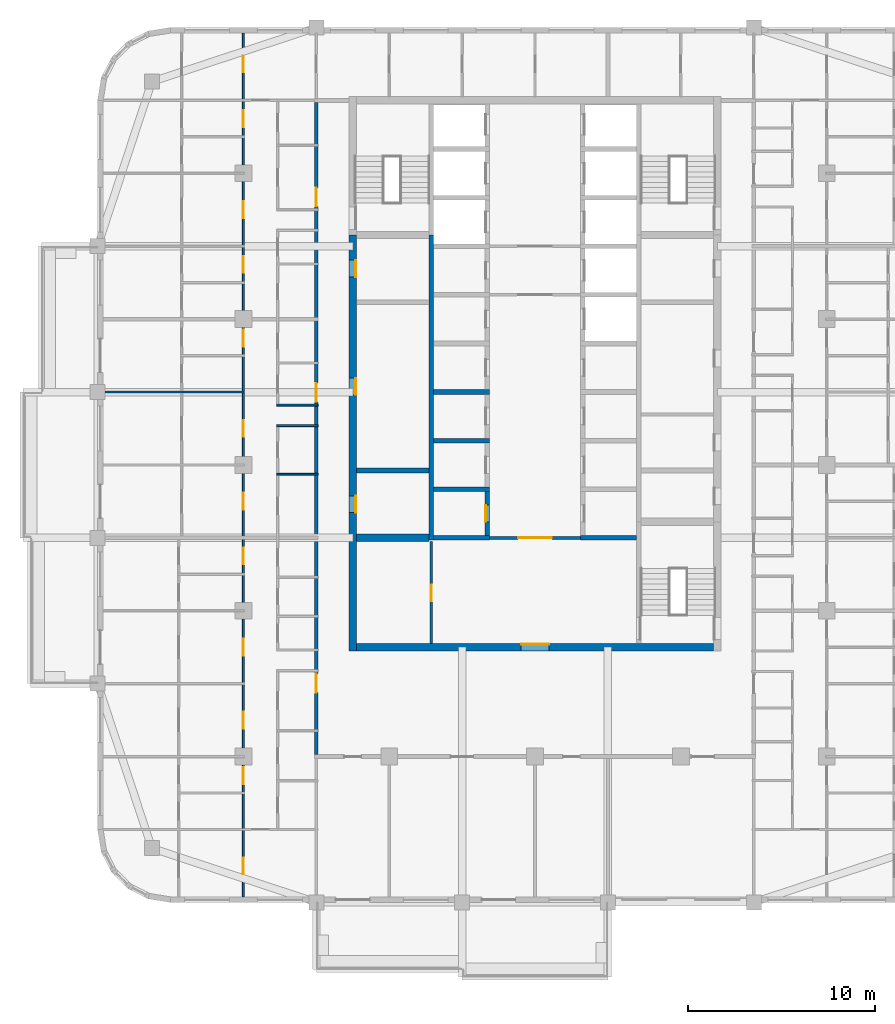
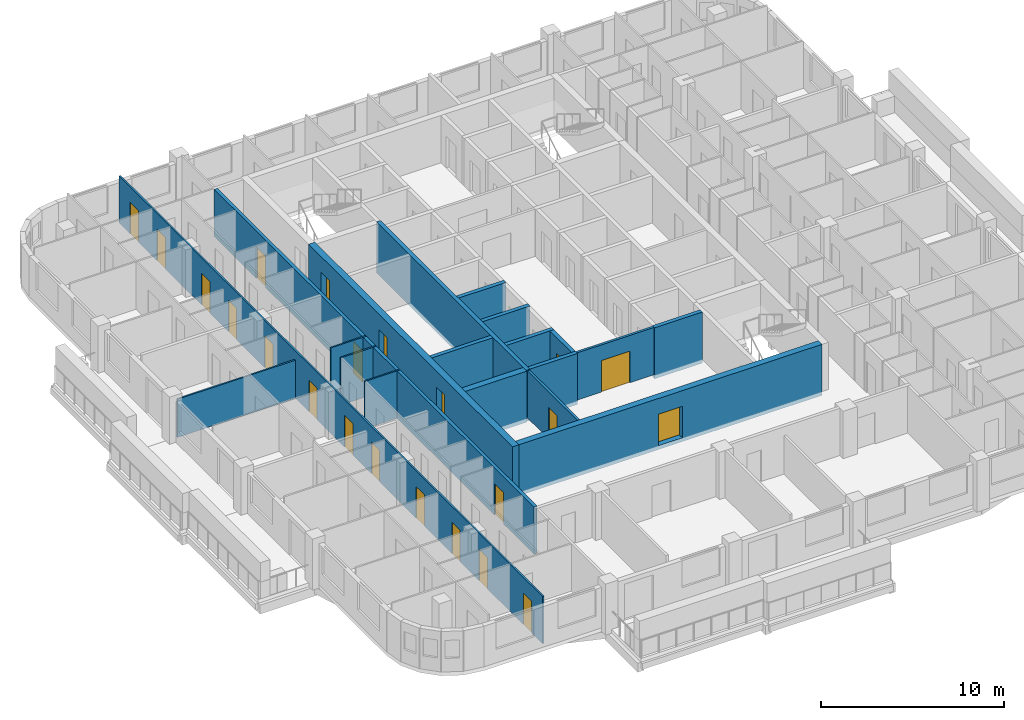
# One storey, part 4 of 16: 22 doors, 19 walls, 22 openings.
"""IFC4 building model written with IfcOpenShell, lengths in metres."""

from ifc_helpers import new_model, si_unit, direction, frame, frame_2d, origin, place, context, subcontext, project, spatial, rectangle, extrude, material, layer, layer_set, type_object, element, fill, save


model = new_model("IFC4")

# Units and contexts
model_context = context("Model", 3, precision=1e-05, world=origin(), true_north=direction((0.0, 1.0)))
body_context = subcontext(model_context, "Body", "Model", "MODEL_VIEW")
ifc_project = project(units=[si_unit("LENGTHUNIT", "METRE"), si_unit("AREAUNIT", "SQUARE_METRE"), si_unit("VOLUMEUNIT", "CUBIC_METRE"), si_unit("PLANEANGLEUNIT", "RADIAN"), si_unit("MASSUNIT", "GRAM", prefix="KILO")], contexts=[model_context])

# Site, building, storey
site_placement = place(None, origin())
site = spatial("IfcSite", under=ifc_project, at=site_placement, CompositionType="ELEMENT")
building_placement = place(site_placement, origin())
building = spatial("IfcBuilding", under=site, at=building_placement, Name="Ludao Terraces", CompositionType="ELEMENT")
storey_placement = place(building_placement, frame((0.0, 0.0, 214.300048828125)))
storey = spatial("IfcBuildingStorey", under=building, at=storey_placement, Name="L58", CompositionType="ELEMENT", Elevation=214.300048828125)

# Wall, openings, doors
ifc_material_1 = material(Name="Concrete C50", Category="concrete")
ifc_layer_1 = layer(ifc_material_1, 0.39990234375)
ifc_layer_set_1 = layer_set([ifc_layer_1], Name="Core wall 400 C50")
wall_type_1 = type_object("IfcWallType", Name="Core wall 400 C50", PredefinedType="SOLIDWALL", material=ifc_layer_set_1)
wall_1_placement = place(storey_placement, frame((75.25, 55.050048828125, -0.25), z_axis=(0.0, 0.0, 1.0), x_axis=(0.0, 1.0, 0.0)))
wall_1 = element("IfcWall", 1, at=wall_1_placement, inside=storey, type_object=wall_type_1, Name="Core wall L58 outer-W", PredefinedType="SOLIDWALL", context=body_context, shape_type="SweptSolid", body=[
    extrude(rectangle(XDim=22.25, YDim=0.39990234375, at=frame_2d((11.125, 0.0))), origin(), (0.0, 0.0, 1.0), 3.39990234375),
])
opening_1_placement = place(wall_1_placement, frame((7.39990234375, 0.0, 0.25)))
opening_1 = element("IfcOpeningElement", 2, at=opening_1_placement, cuts=wall_1, Name="Opening R21-056", PredefinedType="OPENING", context=body_context, shape_type="SweptSolid", body=[
    extrude(rectangle(XDim=0.89990234375, YDim=2.10009765625, at=frame_2d((0.449951171875, 1.050048828125))), frame((0.0, 0.2099609375, 0.0), z_axis=(0.0, -1.0, 0.0), x_axis=(1.0, 0.0, 0.0)), (0.0, 0.0, 1.0), 0.419921875),
])
opening_2_placement = place(wall_1_placement, frame((13.699951171875, 0.0, 0.25)))
opening_2 = element("IfcOpeningElement", 3, at=opening_2_placement, cuts=wall_1, Name="Opening R21-076", PredefinedType="OPENING", context=body_context, shape_type="SweptSolid", body=[
    extrude(rectangle(XDim=0.89990234375, YDim=2.10009765625, at=frame_2d((0.449951171875, 1.050048828125))), frame((0.0, 0.2099609375, 0.0), z_axis=(0.0, -1.0, 0.0), x_axis=(1.0, 0.0, 0.0)), (0.0, 0.0, 1.0), 0.419921875),
])
opening_3_placement = place(wall_1_placement, frame((20.0, 0.0, 0.25)))
opening_3 = element("IfcOpeningElement", 4, at=opening_3_placement, cuts=wall_1, Name="Opening R21-099", PredefinedType="OPENING", context=body_context, shape_type="SweptSolid", body=[
    extrude(rectangle(XDim=0.89990234375, YDim=2.10009765625, at=frame_2d((0.449951171875, 1.050048828125))), frame((0.0, 0.2099609375, 0.0), z_axis=(0.0, -1.0, 0.0), x_axis=(1.0, 0.0, 0.0)), (0.0, 0.0, 1.0), 0.419921875),
])
ifc_material_2 = material(Name="Steel Q235", Category="steel")
door_type_1 = type_object("IfcDoorType", Name="INT Riser door 900", OperationType="SINGLE_SWING_LEFT", PredefinedType="DOOR", material=ifc_material_2)
door_1_placement = place(opening_1_placement, origin())
door_1 = element("IfcDoor", 5, at=door_1_placement, inside=storey, type_object=door_type_1, Name="DOOR 056", OperationType="SINGLE_SWING_RIGHT", OverallHeight=2.10009765625, OverallWidth=0.89990234375, PredefinedType="DOOR", context=body_context, shape_type="SweptSolid", body=[
    extrude(rectangle(XDim=0.89990234375, YDim=2.10009765625, at=frame_2d((0.449951171875, 1.050048828125))), frame((0.0, -0.134765625, 0.0), z_axis=(0.0, -1.0, 0.0), x_axis=(1.0, 0.0, 0.0)), (0.0, 0.0, 1.0), 0.050048828125),
])
fill(opening_1, door_1)
door_2_placement = place(opening_3_placement, origin())
door_2 = element("IfcDoor", 6, at=door_2_placement, inside=storey, type_object=door_type_1, Name="DOOR 099", OperationType="SINGLE_SWING_LEFT", OverallHeight=2.10009765625, OverallWidth=0.89990234375, PredefinedType="DOOR", context=body_context, shape_type="SweptSolid", body=[
    extrude(rectangle(XDim=0.89990234375, YDim=2.10009765625, at=frame_2d((0.449951171875, 1.050048828125))), frame((0.0, -0.134765625, 0.0), z_axis=(0.0, -1.0, 0.0), x_axis=(1.0, 0.0, 0.0)), (0.0, 0.0, 1.0), 0.050048828125),
])
fill(opening_3, door_2)
ifc_material_3 = material(Name="Timber door leaf", Category="wood")
door_type_2 = type_object("IfcDoorType", Name="INT Room door 900", OperationType="SINGLE_SWING_LEFT", PredefinedType="DOOR", material=ifc_material_3)
door_3_placement = place(opening_2_placement, origin())
door_3 = element("IfcDoor", 7, at=door_3_placement, inside=storey, type_object=door_type_2, Name="DOOR 076", OperationType="SINGLE_SWING_RIGHT", OverallHeight=2.10009765625, OverallWidth=0.89990234375, PredefinedType="DOOR", context=body_context, shape_type="SweptSolid", body=[
    extrude(rectangle(XDim=0.89990234375, YDim=2.10009765625, at=frame_2d((0.449951171875, 1.050048828125))), frame((0.0, -0.134765625, 0.0), z_axis=(0.0, -1.0, 0.0), x_axis=(1.0, 0.0, 0.0)), (0.0, 0.0, 1.0), 0.050048828125),
])
fill(opening_2, door_3)

# Wall, opening, door
wall_2_placement = place(storey_placement, frame((75.449951171875, 55.25, -0.25), z_axis=(0.0, 0.0, 1.0), x_axis=(1.0, 0.0, 0.0)))
wall_2 = element("IfcWall", 8, at=wall_2_placement, inside=storey, type_object=wall_type_1, Name="Core wall L58 outer-S", PredefinedType="SOLIDWALL", context=body_context, shape_type="SweptSolid", body=[
    extrude(rectangle(XDim=19.10009765625, YDim=0.39990234375, at=frame_2d((9.550048828125, 0.0))), origin(), (0.0, 0.0, 1.0), 3.39990234375),
])
opening_4_placement = place(wall_2_placement, frame((8.800048828125, 0.0, 0.25)))
opening_4 = element("IfcOpeningElement", 9, at=opening_4_placement, cuts=wall_2, Name="Opening R21-033", PredefinedType="OPENING", context=body_context, shape_type="SweptSolid", body=[
    extrude(rectangle(XDim=1.5, YDim=2.10009765625, at=frame_2d((0.75, 1.050048828125))), frame((0.0, 0.2099609375, 0.0), z_axis=(0.0, -1.0, 0.0), x_axis=(1.0, 0.0, 0.0)), (0.0, 0.0, 1.0), 0.419921875),
])
door_type_3 = type_object("IfcDoorType", Name="INT Lobby door 1500", OperationType="DOUBLE_DOOR_SINGLE_SWING", PredefinedType="DOOR", material=ifc_material_2)
door_4_placement = place(opening_4_placement, origin())
door_4 = element("IfcDoor", 10, at=door_4_placement, inside=storey, type_object=door_type_3, Name="DOOR 033", OperationType="DOUBLE_DOOR_SINGLE_SWING", OverallHeight=2.10009765625, OverallWidth=1.5, PredefinedType="DOOR", context=body_context, shape_type="SweptSolid", body=[
    extrude(rectangle(XDim=1.5, YDim=2.10009765625, at=frame_2d((0.75, 1.050048828125))), frame((0.0, 0.18505859375, 0.0), z_axis=(0.0, -1.0, 0.0), x_axis=(1.0, 0.0, 0.0)), (0.0, 0.0, 1.0), 0.050048828125),
])
fill(opening_4, door_4)

ifc_material_4 = material(Name="Fire-rated gypsum plasterboard", Category="gypsum")
ifc_layer_2 = layer(ifc_material_4, 0.012451171875, Category="gypsum")
ifc_material_5 = material(Name="Mineral wool")
ifc_layer_3 = layer(ifc_material_5, 0.10009765625, Name="insulation")
ifc_layer_4 = layer(ifc_material_2, 0.02490234375, Name="stud")
ifc_layer_5 = layer(ifc_material_4, 0.012451171875, Category="gypsum")
ifc_layer_set_2 = layer_set([ifc_layer_2, ifc_layer_3, ifc_layer_4, ifc_layer_5], Name="INT Core partition 150")
wall_type_2 = type_object("IfcWallType", Name="INT Core partition 150", PredefinedType="PARTITIONING", material=ifc_layer_set_2)
wall_3_placement = place(storey_placement, frame((82.5751953125, 61.10009765625, 0.0), z_axis=(0.0, 0.0, 1.0), x_axis=(1.0, 0.0, 0.0)))
wall_3 = element("IfcWall", 11, at=wall_3_placement, inside=storey, type_object=wall_type_2, Name="PW-L58-PW027", PredefinedType="PARTITIONING", context=body_context, shape_type="SweptSolid", body=[
    extrude(rectangle(XDim=4.849853515625, YDim=0.14990234375, at=frame_2d((2.4248046875, 0.0))), origin(), (0.0, 0.0, 1.0), 3.14990234375),
])
opening_5_placement = place(wall_3_placement, frame((1.52490234375, 0.0, 0.0)))
opening_5 = element("IfcOpeningElement", 12, at=opening_5_placement, cuts=wall_3, Name="Opening R21-050", PredefinedType="OPENING", context=body_context, shape_type="SweptSolid", body=[
    extrude(rectangle(XDim=1.800048828125, YDim=2.10009765625, at=frame_2d((0.89990234375, 1.050048828125))), frame((0.0, 0.0849609375, 0.0), z_axis=(0.0, -1.0, 0.0), x_axis=(1.0, 0.0, 0.0)), (0.0, 0.0, 1.0), 0.169921875),
])
door_type_4 = type_object("IfcDoorType", Name="INT Fire lobby door 1800", OperationType="DOUBLE_DOOR_SINGLE_SWING", PredefinedType="DOOR", material=ifc_material_2)
door_5_placement = place(opening_5_placement, origin())
door_5 = element("IfcDoor", 13, at=door_5_placement, inside=storey, type_object=door_type_4, Name="DOOR 050", OperationType="DOUBLE_DOOR_SINGLE_SWING", OverallHeight=2.10009765625, OverallWidth=1.800048828125, PredefinedType="DOOR", context=body_context, shape_type="SweptSolid", body=[
    extrude(rectangle(XDim=1.800048828125, YDim=2.10009765625, at=frame_2d((0.89990234375, 1.050048828125))), frame((0.0, 0.02490234375, 0.0), z_axis=(0.0, -1.0, 0.0), x_axis=(1.0, 0.0, 0.0)), (0.0, 0.0, 1.0), 0.050048828125),
])
fill(opening_5, door_5)

wall_4_placement = place(storey_placement, frame((79.449951171875, 55.4501953125, 0.0), z_axis=(0.0, 0.0, 1.0), x_axis=(0.0, 1.0, 0.0)))
wall_4 = element("IfcWall", 14, at=wall_4_placement, inside=storey, type_object=wall_type_2, Name="PW-L58-PW082", PredefinedType="PARTITIONING", context=body_context, shape_type="SweptSolid", body=[
    extrude(rectangle(XDim=5.449951171875, YDim=0.14990234375, at=frame_2d((2.72509765625, 0.0))), origin(), (0.0, 0.0, 1.0), 3.14990234375),
])
opening_6_placement = place(wall_4_placement, frame((2.25, 0.0, 0.0)))
opening_6 = element("IfcOpeningElement", 15, at=opening_6_placement, cuts=wall_4, Name="Opening R21-042", PredefinedType="OPENING", context=body_context, shape_type="SweptSolid", body=[
    extrude(rectangle(XDim=0.89990234375, YDim=2.10009765625, at=frame_2d((0.449951171875, 1.050048828125))), frame((0.0, 0.0849609375, 0.0), z_axis=(0.0, -1.0, 0.0), x_axis=(1.0, 0.0, 0.0)), (0.0, 0.0, 1.0), 0.169921875),
])
door_6_placement = place(opening_6_placement, origin())
door_6 = element("IfcDoor", 16, at=door_6_placement, inside=storey, type_object=door_type_2, Name="DOOR 042", OperationType="SINGLE_SWING_LEFT", OverallHeight=2.10009765625, OverallWidth=0.89990234375, PredefinedType="DOOR", context=body_context, shape_type="SweptSolid", body=[
    extrude(rectangle(XDim=0.89990234375, YDim=2.10009765625, at=frame_2d((0.449951171875, 1.050048828125))), frame((0.0, 0.02490234375, 0.0), z_axis=(0.0, -1.0, 0.0), x_axis=(1.0, 0.0, 0.0)), (0.0, 0.0, 1.0), 0.050048828125),
])
fill(opening_6, door_6)

# Wall, openings, doors
ifc_material_6 = material(Name="Autoclaved aerated concrete block B06 A3.5", Category="concrete")
ifc_layer_6 = layer(ifc_material_6, 0.199951171875)
ifc_layer_set_3 = layer_set([ifc_layer_6], Name="INT Entrance wall 200")
wall_type_3 = type_object("IfcWallType", Name="INT Entrance wall 200", PredefinedType="PARTITIONING", material=ifc_layer_set_3)
wall_5_placement = place(storey_placement, frame((73.300048828125, 49.5, 0.0), z_axis=(0.0, 0.0, 1.0), x_axis=(0.0, 1.0, 0.0)))
wall_5 = element("IfcWall", 17, at=wall_5_placement, inside=storey, type_object=wall_type_3, Name="PW-L58-PW078", PredefinedType="PARTITIONING", context=body_context, shape_type="SweptSolid", body=[
    extrude(rectangle(XDim=34.900146484375, YDim=0.199951171875, at=frame_2d((17.4501953125, 0.0))), origin(), (0.0, 0.0, 1.0), 3.14990234375),
])
opening_7_placement = place(wall_5_placement, frame((3.3251953125, 0.0, 0.0)))
opening_7 = element("IfcOpeningElement", 18, at=opening_7_placement, cuts=wall_5, Name="Opening R21-029", PredefinedType="OPENING", context=body_context, shape_type="SweptSolid", body=[
    extrude(rectangle(XDim=1.0, YDim=2.10009765625, at=frame_2d((0.5, 1.050048828125))), frame((0.0, 0.10986328125, 0.0), z_axis=(0.0, -1.0, 0.0), x_axis=(1.0, 0.0, 0.0)), (0.0, 0.0, 1.0), 0.219970703125),
])
opening_8_placement = place(wall_5_placement, frame((18.875, 0.0, 0.0)))
opening_8 = element("IfcOpeningElement", 19, at=opening_8_placement, cuts=wall_5, Name="Opening R21-075", PredefinedType="OPENING", context=body_context, shape_type="SweptSolid", body=[
    extrude(rectangle(XDim=1.0, YDim=2.10009765625, at=frame_2d((0.5, 1.050048828125))), frame((0.0, 0.10986328125, 0.0), z_axis=(0.0, -1.0, 0.0), x_axis=(1.0, 0.0, 0.0)), (0.0, 0.0, 1.0), 0.219970703125),
])
opening_9_placement = place(wall_5_placement, frame((29.3251953125, 0.0, 0.0)))
opening_9 = element("IfcOpeningElement", 20, at=opening_9_placement, cuts=wall_5, Name="Opening R21-116", PredefinedType="OPENING", context=body_context, shape_type="SweptSolid", body=[
    extrude(rectangle(XDim=1.0, YDim=2.10009765625, at=frame_2d((0.5, 1.050048828125))), frame((0.0, 0.10986328125, 0.0), z_axis=(0.0, -1.0, 0.0), x_axis=(1.0, 0.0, 0.0)), (0.0, 0.0, 1.0), 0.219970703125),
])
door_type_5 = type_object("IfcDoorType", Name="INT Flat entrance door 1000", OperationType="SINGLE_SWING_LEFT", PredefinedType="DOOR", material=ifc_material_2)
door_7_placement = place(opening_7_placement, origin())
door_7 = element("IfcDoor", 21, at=door_7_placement, inside=storey, type_object=door_type_5, Name="DOOR 029", OperationType="SINGLE_SWING_LEFT", OverallHeight=2.10009765625, OverallWidth=1.0, PredefinedType="DOOR", context=body_context, shape_type="SweptSolid", body=[
    extrude(rectangle(XDim=1.0, YDim=2.10009765625, at=frame_2d((0.5, 1.050048828125))), frame((0.0, 0.02490234375, 0.0), z_axis=(0.0, -1.0, 0.0), x_axis=(1.0, 0.0, 0.0)), (0.0, 0.0, 1.0), 0.050048828125),
])
fill(opening_7, door_7)
door_8_placement = place(opening_8_placement, origin())
door_8 = element("IfcDoor", 22, at=door_8_placement, inside=storey, type_object=door_type_5, Name="DOOR 075", OperationType="SINGLE_SWING_RIGHT", OverallHeight=2.10009765625, OverallWidth=1.0, PredefinedType="DOOR", context=body_context, shape_type="SweptSolid", body=[
    extrude(rectangle(XDim=1.0, YDim=2.10009765625, at=frame_2d((0.5, 1.050048828125))), frame((0.0, 0.02490234375, 0.0), z_axis=(0.0, -1.0, 0.0), x_axis=(1.0, 0.0, 0.0)), (0.0, 0.0, 1.0), 0.050048828125),
])
fill(opening_8, door_8)
door_9_placement = place(opening_9_placement, origin())
door_9 = element("IfcDoor", 23, at=door_9_placement, inside=storey, type_object=door_type_5, Name="DOOR 116", OperationType="SINGLE_SWING_RIGHT", OverallHeight=2.10009765625, OverallWidth=1.0, PredefinedType="DOOR", context=body_context, shape_type="SweptSolid", body=[
    extrude(rectangle(XDim=1.0, YDim=2.10009765625, at=frame_2d((0.5, 1.050048828125))), frame((0.0, 0.02490234375, 0.0), z_axis=(0.0, -1.0, 0.0), x_axis=(1.0, 0.0, 0.0)), (0.0, 0.0, 1.0), 0.050048828125),
])
fill(opening_9, door_9)

# Walls
ifc_material_7 = material(Name="Gypsum plasterboard", Category="gypsum")
ifc_layer_7 = layer(ifc_material_7, 0.012451171875, Category="gypsum")
ifc_layer_8 = layer(ifc_material_5, 0.06005859375, Name="insulation")
ifc_layer_9 = layer(ifc_material_2, 0.014892578125, Name="stud")
ifc_layer_10 = layer(ifc_material_7, 0.012451171875, Category="gypsum")
ifc_layer_set_4 = layer_set([ifc_layer_7, ifc_layer_8, ifc_layer_9, ifc_layer_10], Name="INT Partition 100")
wall_type_4 = type_object("IfcWallType", Name="INT Partition 100", PredefinedType="PARTITIONING", material=ifc_layer_set_4)
for number, where, z_axis, x_axis, name in (
    (24, (71.18017578125, 64.5, 0.0), (0.0, 0.0, 1.0), (1.0, 0.0, 0.0), "PW-L58-PW031"),
    (25, (71.18017578125, 67.10009765625, 0.0), (0.0, 0.0, 1.0), (1.0, 0.0, 0.0), "PW-L58-PW034"),
    (26, (71.18017578125, 68.199951171875, 0.0), (0.0, 0.0, 1.0), (1.0, 0.0, 0.0), "PW-L58-PW037"),
):
    element("IfcWall", number, at=place(storey_placement, frame(where, z_axis=z_axis, x_axis=x_axis)), inside=storey, type_object=wall_type_4, Name=name, PredefinedType="PARTITIONING", context=body_context, shape_type="SweptSolid", body=[
        extrude(rectangle(XDim=2.219970703125, YDim=0.10009765625, at=frame_2d((1.10986328125, 0.0))), origin(), (0.0, 0.0, 1.0), 3.14990234375),
    ])
wall_6_placement = place(storey_placement, frame((61.900146484375, 68.89990234375, 0.0), z_axis=(0.0, 0.0, 1.0), x_axis=(1.0, 0.0, 0.0)))
element("IfcWall", 27, at=wall_6_placement, inside=storey, type_object=wall_type_4, Name="PW-L58-PW038", PredefinedType="PARTITIONING", context=body_context, shape_type="SweptSolid", body=[
    extrude(rectangle(XDim=7.550048828125, YDim=0.10009765625, at=frame_2d((3.77490234375, 0.0))), origin(), (0.0, 0.0, 1.0), 2.5498046875),
])

# Wall, openings, doors
wall_7_placement = place(storey_placement, frame((69.39990234375, 41.900146484375, 0.0), z_axis=(0.0, 0.0, 1.0), x_axis=(0.0, 1.0, 0.0)))
wall_7 = element("IfcWall", 28, at=wall_7_placement, inside=storey, type_object=wall_type_4, Name="PW-L58-PW072", PredefinedType="PARTITIONING", context=body_context, shape_type="SweptSolid", body=[
    extrude(rectangle(XDim=46.199951171875, YDim=0.10009765625, at=frame_2d((23.10009765625, 0.0))), origin(), (0.0, 0.0, 1.0), 3.14990234375),
])
opening_10_placement = place(wall_7_placement, frame((1.199951171875, 0.0, 0.0)))
opening_10 = element("IfcOpeningElement", 29, at=opening_10_placement, cuts=wall_7, Name="Opening R21-002", PredefinedType="OPENING", context=body_context, shape_type="SweptSolid", body=[
    extrude(rectangle(XDim=0.89990234375, YDim=2.10009765625, at=frame_2d((0.449951171875, 1.050048828125))), frame((0.0, 0.06005859375, 0.0), z_axis=(0.0, -1.0, 0.0), x_axis=(1.0, 0.0, 0.0)), (0.0, 0.0, 1.0), 0.1201171875),
])
opening_11_placement = place(wall_7_placement, frame((6.02490234375, 0.0, 0.0)))
opening_11 = element("IfcOpeningElement", 30, at=opening_11_placement, cuts=wall_7, Name="Opening R21-011", PredefinedType="OPENING", context=body_context, shape_type="SweptSolid", body=[
    extrude(rectangle(XDim=0.89990234375, YDim=2.10009765625, at=frame_2d((0.449951171875, 1.050048828125))), frame((0.0, 0.06005859375, 0.0), z_axis=(0.0, -1.0, 0.0), x_axis=(1.0, 0.0, 0.0)), (0.0, 0.0, 1.0), 0.1201171875),
])
opening_12_placement = place(wall_7_placement, frame((9.0, 0.0, 0.0)))
opening_12 = element("IfcOpeningElement", 31, at=opening_12_placement, cuts=wall_7, Name="Opening R21-023", PredefinedType="OPENING", context=body_context, shape_type="SweptSolid", body=[
    extrude(rectangle(XDim=0.89990234375, YDim=2.10009765625, at=frame_2d((0.449951171875, 1.050048828125))), frame((0.0, 0.06005859375, 0.0), z_axis=(0.0, -1.0, 0.0), x_axis=(1.0, 0.0, 0.0)), (0.0, 0.0, 1.0), 0.1201171875),
])
opening_13_placement = place(wall_7_placement, frame((12.89990234375, 0.0, 0.0)))
opening_13 = element("IfcOpeningElement", 32, at=opening_13_placement, cuts=wall_7, Name="Opening R21-032", PredefinedType="OPENING", context=body_context, shape_type="SweptSolid", body=[
    extrude(rectangle(XDim=0.89990234375, YDim=2.10009765625, at=frame_2d((0.449951171875, 1.050048828125))), frame((0.0, 0.06005859375, 0.0), z_axis=(0.0, -1.0, 0.0), x_axis=(1.0, 0.0, 0.0)), (0.0, 0.0, 1.0), 0.1201171875),
])
opening_14_placement = place(wall_7_placement, frame((17.77490234375, 0.0, 0.0)))
opening_14 = element("IfcOpeningElement", 33, at=opening_14_placement, cuts=wall_7, Name="Opening R21-048", PredefinedType="OPENING", context=body_context, shape_type="SweptSolid", body=[
    extrude(rectangle(XDim=0.89990234375, YDim=2.10009765625, at=frame_2d((0.449951171875, 1.050048828125))), frame((0.0, 0.06005859375, 0.0), z_axis=(0.0, -1.0, 0.0), x_axis=(1.0, 0.0, 0.0)), (0.0, 0.0, 1.0), 0.1201171875),
])
opening_15_placement = place(wall_7_placement, frame((20.699951171875, 0.0, 0.0)))
opening_15 = element("IfcOpeningElement", 34, at=opening_15_placement, cuts=wall_7, Name="Opening R21-058", PredefinedType="OPENING", context=body_context, shape_type="SweptSolid", body=[
    extrude(rectangle(XDim=0.89990234375, YDim=2.10009765625, at=frame_2d((0.449951171875, 1.050048828125))), frame((0.0, 0.06005859375, 0.0), z_axis=(0.0, -1.0, 0.0), x_axis=(1.0, 0.0, 0.0)), (0.0, 0.0, 1.0), 0.1201171875),
])
opening_16_placement = place(wall_7_placement, frame((24.60009765625, 0.0, 0.0)))
opening_16 = element("IfcOpeningElement", 35, at=opening_16_placement, cuts=wall_7, Name="Opening R21-069", PredefinedType="OPENING", context=body_context, shape_type="SweptSolid", body=[
    extrude(rectangle(XDim=0.89990234375, YDim=2.10009765625, at=frame_2d((0.449951171875, 1.050048828125))), frame((0.0, 0.06005859375, 0.0), z_axis=(0.0, -1.0, 0.0), x_axis=(1.0, 0.0, 0.0)), (0.0, 0.0, 1.0), 0.1201171875),
])
opening_17_placement = place(wall_7_placement, frame((29.425048828125, 0.0, 0.0)))
opening_17 = element("IfcOpeningElement", 36, at=opening_17_placement, cuts=wall_7, Name="Opening R21-085", PredefinedType="OPENING", context=body_context, shape_type="SweptSolid", body=[
    extrude(rectangle(XDim=0.89990234375, YDim=2.10009765625, at=frame_2d((0.449951171875, 1.050048828125))), frame((0.0, 0.06005859375, 0.0), z_axis=(0.0, -1.0, 0.0), x_axis=(1.0, 0.0, 0.0)), (0.0, 0.0, 1.0), 0.1201171875),
])
opening_18_placement = place(wall_7_placement, frame((33.375, 0.0, 0.0)))
opening_18 = element("IfcOpeningElement", 37, at=opening_18_placement, cuts=wall_7, Name="Opening R21-102", PredefinedType="OPENING", context=body_context, shape_type="SweptSolid", body=[
    extrude(rectangle(XDim=0.89990234375, YDim=2.10009765625, at=frame_2d((0.449951171875, 1.050048828125))), frame((0.0, 0.06005859375, 0.0), z_axis=(0.0, -1.0, 0.0), x_axis=(1.0, 0.0, 0.0)), (0.0, 0.0, 1.0), 0.1201171875),
])
opening_19_placement = place(wall_7_placement, frame((36.300048828125, 0.0, 0.0)))
opening_19 = element("IfcOpeningElement", 38, at=opening_19_placement, cuts=wall_7, Name="Opening R21-113", PredefinedType="OPENING", context=body_context, shape_type="SweptSolid", body=[
    extrude(rectangle(XDim=0.89990234375, YDim=2.10009765625, at=frame_2d((0.449951171875, 1.050048828125))), frame((0.0, 0.06005859375, 0.0), z_axis=(0.0, -1.0, 0.0), x_axis=(1.0, 0.0, 0.0)), (0.0, 0.0, 1.0), 0.1201171875),
])
opening_20_placement = place(wall_7_placement, frame((41.175048828125, 0.0, 0.0)))
opening_20 = element("IfcOpeningElement", 39, at=opening_20_placement, cuts=wall_7, Name="Opening R21-129", PredefinedType="OPENING", context=body_context, shape_type="SweptSolid", body=[
    extrude(rectangle(XDim=0.89990234375, YDim=2.10009765625, at=frame_2d((0.449951171875, 1.050048828125))), frame((0.0, 0.06005859375, 0.0), z_axis=(0.0, -1.0, 0.0), x_axis=(1.0, 0.0, 0.0)), (0.0, 0.0, 1.0), 0.1201171875),
])
opening_21_placement = place(wall_7_placement, frame((44.10009765625, 0.0, 0.0)))
opening_21 = element("IfcOpeningElement", 40, at=opening_21_placement, cuts=wall_7, Name="Opening R21-136", PredefinedType="OPENING", context=body_context, shape_type="SweptSolid", body=[
    extrude(rectangle(XDim=0.89990234375, YDim=2.10009765625, at=frame_2d((0.449951171875, 1.050048828125))), frame((0.0, 0.06005859375, 0.0), z_axis=(0.0, -1.0, 0.0), x_axis=(1.0, 0.0, 0.0)), (0.0, 0.0, 1.0), 0.1201171875),
])
door_10_placement = place(opening_10_placement, origin())
door_10 = element("IfcDoor", 41, at=door_10_placement, inside=storey, type_object=door_type_2, Name="DOOR 002", OperationType="SINGLE_SWING_LEFT", OverallHeight=2.10009765625, OverallWidth=0.89990234375, PredefinedType="DOOR", context=body_context, shape_type="SweptSolid", body=[
    extrude(rectangle(XDim=0.89990234375, YDim=2.10009765625, at=frame_2d((0.449951171875, 1.050048828125))), frame((0.0, 0.02490234375, 0.0), z_axis=(0.0, -1.0, 0.0), x_axis=(1.0, 0.0, 0.0)), (0.0, 0.0, 1.0), 0.050048828125),
])
fill(opening_10, door_10)
door_11_placement = place(opening_11_placement, origin())
door_11 = element("IfcDoor", 42, at=door_11_placement, inside=storey, type_object=door_type_2, Name="DOOR 011", OperationType="SINGLE_SWING_LEFT", OverallHeight=2.10009765625, OverallWidth=0.89990234375, PredefinedType="DOOR", context=body_context, shape_type="SweptSolid", body=[
    extrude(rectangle(XDim=0.89990234375, YDim=2.10009765625, at=frame_2d((0.449951171875, 1.050048828125))), frame((0.0, 0.02490234375, 0.0), z_axis=(0.0, -1.0, 0.0), x_axis=(1.0, 0.0, 0.0)), (0.0, 0.0, 1.0), 0.050048828125),
])
fill(opening_11, door_11)
door_12_placement = place(opening_12_placement, origin())
door_12 = element("IfcDoor", 43, at=door_12_placement, inside=storey, type_object=door_type_2, Name="DOOR 023", OperationType="SINGLE_SWING_LEFT", OverallHeight=2.10009765625, OverallWidth=0.89990234375, PredefinedType="DOOR", context=body_context, shape_type="SweptSolid", body=[
    extrude(rectangle(XDim=0.89990234375, YDim=2.10009765625, at=frame_2d((0.449951171875, 1.050048828125))), frame((0.0, 0.02490234375, 0.0), z_axis=(0.0, -1.0, 0.0), x_axis=(1.0, 0.0, 0.0)), (0.0, 0.0, 1.0), 0.050048828125),
])
fill(opening_12, door_12)
door_13_placement = place(opening_13_placement, origin())
door_13 = element("IfcDoor", 44, at=door_13_placement, inside=storey, type_object=door_type_2, Name="DOOR 032", OperationType="SINGLE_SWING_LEFT", OverallHeight=2.10009765625, OverallWidth=0.89990234375, PredefinedType="DOOR", context=body_context, shape_type="SweptSolid", body=[
    extrude(rectangle(XDim=0.89990234375, YDim=2.10009765625, at=frame_2d((0.449951171875, 1.050048828125))), frame((0.0, 0.02490234375, 0.0), z_axis=(0.0, -1.0, 0.0), x_axis=(1.0, 0.0, 0.0)), (0.0, 0.0, 1.0), 0.050048828125),
])
fill(opening_13, door_13)
door_14_placement = place(opening_14_placement, origin())
door_14 = element("IfcDoor", 45, at=door_14_placement, inside=storey, type_object=door_type_2, Name="DOOR 048", OperationType="SINGLE_SWING_LEFT", OverallHeight=2.10009765625, OverallWidth=0.89990234375, PredefinedType="DOOR", context=body_context, shape_type="SweptSolid", body=[
    extrude(rectangle(XDim=0.89990234375, YDim=2.10009765625, at=frame_2d((0.449951171875, 1.050048828125))), frame((0.0, 0.02490234375, 0.0), z_axis=(0.0, -1.0, 0.0), x_axis=(1.0, 0.0, 0.0)), (0.0, 0.0, 1.0), 0.050048828125),
])
fill(opening_14, door_14)
door_15_placement = place(opening_15_placement, origin())
door_15 = element("IfcDoor", 46, at=door_15_placement, inside=storey, type_object=door_type_2, Name="DOOR 058", OperationType="SINGLE_SWING_RIGHT", OverallHeight=2.10009765625, OverallWidth=0.89990234375, PredefinedType="DOOR", context=body_context, shape_type="SweptSolid", body=[
    extrude(rectangle(XDim=0.89990234375, YDim=2.10009765625, at=frame_2d((0.449951171875, 1.050048828125))), frame((0.0, 0.02490234375, 0.0), z_axis=(0.0, -1.0, 0.0), x_axis=(1.0, 0.0, 0.0)), (0.0, 0.0, 1.0), 0.050048828125),
])
fill(opening_15, door_15)
door_16_placement = place(opening_16_placement, origin())
door_16 = element("IfcDoor", 47, at=door_16_placement, inside=storey, type_object=door_type_2, Name="DOOR 069", OperationType="SINGLE_SWING_RIGHT", OverallHeight=2.10009765625, OverallWidth=0.89990234375, PredefinedType="DOOR", context=body_context, shape_type="SweptSolid", body=[
    extrude(rectangle(XDim=0.89990234375, YDim=2.10009765625, at=frame_2d((0.449951171875, 1.050048828125))), frame((0.0, 0.02490234375, 0.0), z_axis=(0.0, -1.0, 0.0), x_axis=(1.0, 0.0, 0.0)), (0.0, 0.0, 1.0), 0.050048828125),
])
fill(opening_16, door_16)
door_17_placement = place(opening_17_placement, origin())
door_17 = element("IfcDoor", 48, at=door_17_placement, inside=storey, type_object=door_type_2, Name="DOOR 085", OperationType="SINGLE_SWING_LEFT", OverallHeight=2.10009765625, OverallWidth=0.89990234375, PredefinedType="DOOR", context=body_context, shape_type="SweptSolid", body=[
    extrude(rectangle(XDim=0.89990234375, YDim=2.10009765625, at=frame_2d((0.449951171875, 1.050048828125))), frame((0.0, 0.02490234375, 0.0), z_axis=(0.0, -1.0, 0.0), x_axis=(1.0, 0.0, 0.0)), (0.0, 0.0, 1.0), 0.050048828125),
])
fill(opening_17, door_17)
door_18_placement = place(opening_18_placement, origin())
door_18 = element("IfcDoor", 49, at=door_18_placement, inside=storey, type_object=door_type_2, Name="DOOR 102", OperationType="SINGLE_SWING_LEFT", OverallHeight=2.10009765625, OverallWidth=0.89990234375, PredefinedType="DOOR", context=body_context, shape_type="SweptSolid", body=[
    extrude(rectangle(XDim=0.89990234375, YDim=2.10009765625, at=frame_2d((0.449951171875, 1.050048828125))), frame((0.0, 0.02490234375, 0.0), z_axis=(0.0, -1.0, 0.0), x_axis=(1.0, 0.0, 0.0)), (0.0, 0.0, 1.0), 0.050048828125),
])
fill(opening_18, door_18)
door_19_placement = place(opening_19_placement, origin())
door_19 = element("IfcDoor", 50, at=door_19_placement, inside=storey, type_object=door_type_2, Name="DOOR 113", OperationType="SINGLE_SWING_LEFT", OverallHeight=2.10009765625, OverallWidth=0.89990234375, PredefinedType="DOOR", context=body_context, shape_type="SweptSolid", body=[
    extrude(rectangle(XDim=0.89990234375, YDim=2.10009765625, at=frame_2d((0.449951171875, 1.050048828125))), frame((0.0, 0.02490234375, 0.0), z_axis=(0.0, -1.0, 0.0), x_axis=(1.0, 0.0, 0.0)), (0.0, 0.0, 1.0), 0.050048828125),
])
fill(opening_19, door_19)
door_20_placement = place(opening_20_placement, origin())
door_20 = element("IfcDoor", 51, at=door_20_placement, inside=storey, type_object=door_type_2, Name="DOOR 129", OperationType="SINGLE_SWING_LEFT", OverallHeight=2.10009765625, OverallWidth=0.89990234375, PredefinedType="DOOR", context=body_context, shape_type="SweptSolid", body=[
    extrude(rectangle(XDim=0.89990234375, YDim=2.10009765625, at=frame_2d((0.449951171875, 1.050048828125))), frame((0.0, 0.02490234375, 0.0), z_axis=(0.0, -1.0, 0.0), x_axis=(1.0, 0.0, 0.0)), (0.0, 0.0, 1.0), 0.050048828125),
])
fill(opening_20, door_20)
door_21_placement = place(opening_21_placement, origin())
door_21 = element("IfcDoor", 52, at=door_21_placement, inside=storey, type_object=door_type_2, Name="DOOR 136", OperationType="SINGLE_SWING_RIGHT", OverallHeight=2.10009765625, OverallWidth=0.89990234375, PredefinedType="DOOR", context=body_context, shape_type="SweptSolid", body=[
    extrude(rectangle(XDim=0.89990234375, YDim=2.10009765625, at=frame_2d((0.449951171875, 1.050048828125))), frame((0.0, 0.02490234375, 0.0), z_axis=(0.0, -1.0, 0.0), x_axis=(1.0, 0.0, 0.0)), (0.0, 0.0, 1.0), 0.050048828125),
])
fill(opening_21, door_21)

# Walls
ifc_layer_11 = layer(ifc_material_1, 0.25)
ifc_layer_set_5 = layer_set([ifc_layer_11], Name="Shaft wall 250 C50")
wall_type_5 = type_object("IfcWallType", Name="Shaft wall 250 C50", PredefinedType="SOLIDWALL", material=ifc_layer_set_5)
wall_8_placement = place(storey_placement, frame((79.449951171875, 60.97509765625, -0.25), z_axis=(0.0, 0.0, 1.0), x_axis=(0.0, 1.0, 0.0)))
element("IfcWall", 53, at=wall_8_placement, inside=storey, type_object=wall_type_5, Name="Core wall L58 back-W", PredefinedType="SOLIDWALL", context=body_context, shape_type="SweptSolid", body=[
    extrude(rectangle(XDim=16.324951171875, YDim=0.25, at=frame_2d((8.16259765625, 0.0))), origin(), (0.0, 0.0, 1.0), 3.39990234375),
])
wall_9_placement = place(storey_placement, frame((79.574951171875, 61.10009765625, -0.25), z_axis=(0.0, 0.0, 1.0), x_axis=(1.0, 0.0, 0.0)))
element("IfcWall", 54, at=wall_9_placement, inside=storey, type_object=wall_type_5, Name="Core wall L58 div-W1", PredefinedType="SOLIDWALL", context=body_context, shape_type="SweptSolid", body=[
    extrude(rectangle(XDim=3.0, YDim=0.25, at=frame_2d((1.5, 0.0))), origin(), (0.0, 0.0, 1.0), 3.39990234375),
])

# Wall, opening, door
wall_10_placement = place(storey_placement, frame((82.449951171875, 61.22509765625, -0.25), z_axis=(0.0, 0.0, 1.0), x_axis=(0.0, 1.0, 0.0)))
wall_10 = element("IfcWall", 55, at=wall_10_placement, inside=storey, type_object=wall_type_5, Name="Core wall L58 front-W1", PredefinedType="SOLIDWALL", context=body_context, shape_type="SweptSolid", body=[
    extrude(rectangle(XDim=2.349853515625, YDim=0.25, at=frame_2d((1.1748046875, 0.0))), origin(), (0.0, 0.0, 1.0), 3.39990234375),
])
opening_22_placement = place(wall_10_placement, frame((0.72509765625, 0.0, 0.25)))
opening_22 = element("IfcOpeningElement", 56, at=opening_22_placement, cuts=wall_10, Name="Opening R21-053", PredefinedType="OPENING", context=body_context, shape_type="SweptSolid", body=[
    extrude(rectangle(XDim=0.89990234375, YDim=2.10009765625, at=frame_2d((0.449951171875, 1.050048828125))), frame((0.0, 0.135009765625, 0.0), z_axis=(0.0, -1.0, 0.0), x_axis=(1.0, 0.0, 0.0)), (0.0, 0.0, 1.0), 0.27001953125),
])
door_22_placement = place(opening_22_placement, origin())
door_22 = element("IfcDoor", 57, at=door_22_placement, inside=storey, type_object=door_type_2, Name="DOOR 053", OperationType="SINGLE_SWING_LEFT", OverallHeight=2.10009765625, OverallWidth=0.89990234375, PredefinedType="DOOR", context=body_context, shape_type="SweptSolid", body=[
    extrude(rectangle(XDim=0.89990234375, YDim=2.10009765625, at=frame_2d((0.449951171875, 1.050048828125))), frame((0.0, 0.10986328125, 0.0), z_axis=(0.0, -1.0, 0.0), x_axis=(1.0, 0.0, 0.0)), (0.0, 0.0, 1.0), 0.050048828125),
])
fill(opening_22, door_22)

# Walls
for number, where, z_axis, x_axis, name in (
    (58, (79.574951171875, 63.699951171875, -0.25), (0.0, 0.0, 1.0), (1.0, 0.0, 0.0), "Core wall L58 div-W2"),
    (59, (79.574951171875, 66.300048828125, -0.25), (0.0, 0.0, 1.0), (1.0, 0.0, 0.0), "Core wall L58 div-W3"),
    (60, (79.574951171875, 68.89990234375, -0.25), (0.0, 0.0, 1.0), (1.0, 0.0, 0.0), "Core wall L58 div-W4"),
    (61, (87.425048828125, 61.10009765625, -0.25), (0.0, 0.0, 1.0), (1.0, 0.0, 0.0), "Core wall L58 div-E1"),
):
    element("IfcWall", number, at=place(storey_placement, frame(where, z_axis=z_axis, x_axis=x_axis)), inside=storey, type_object=wall_type_5, Name=name, PredefinedType="SOLIDWALL", context=body_context, shape_type="SweptSolid", body=[
        extrude(rectangle(XDim=3.0, YDim=0.25, at=frame_2d((1.5, 0.0))), origin(), (0.0, 0.0, 1.0), 3.39990234375),
    ])
wall_11_placement = place(storey_placement, frame((75.449951171875, 64.699951171875, -0.25), z_axis=(0.0, 0.0, 1.0), x_axis=(1.0, 0.0, 0.0)))
element("IfcWall", 62, at=wall_11_placement, inside=storey, type_object=wall_type_5, Name="Core wall L58 riser-a-W", PredefinedType="SOLIDWALL", context=body_context, shape_type="SweptSolid", body=[
    extrude(rectangle(XDim=3.875, YDim=0.25, at=frame_2d((1.9375, 0.0))), origin(), (0.0, 0.0, 1.0), 3.39990234375),
])
ifc_layer_12 = layer(ifc_material_1, 0.39990234375)
ifc_layer_set_6 = layer_set([ifc_layer_12], Name="Shaft wall 400 C50")
wall_type_6 = type_object("IfcWallType", Name="Shaft wall 400 C50", PredefinedType="SOLIDWALL", material=ifc_layer_set_6)
wall_12_placement = place(storey_placement, frame((75.449951171875, 61.10009765625, -0.25), z_axis=(0.0, 0.0, 1.0), x_axis=(1.0, 0.0, 0.0)))
element("IfcWall", 63, at=wall_12_placement, inside=storey, type_object=wall_type_6, Name="Core wall L58 hall-W", PredefinedType="SOLIDWALL", context=body_context, shape_type="SweptSolid", body=[
    extrude(rectangle(XDim=3.875, YDim=0.39990234375, at=frame_2d((1.9375, 0.0))), origin(), (0.0, 0.0, 1.0), 3.39990234375),
])

save(model, "model.ifc")
